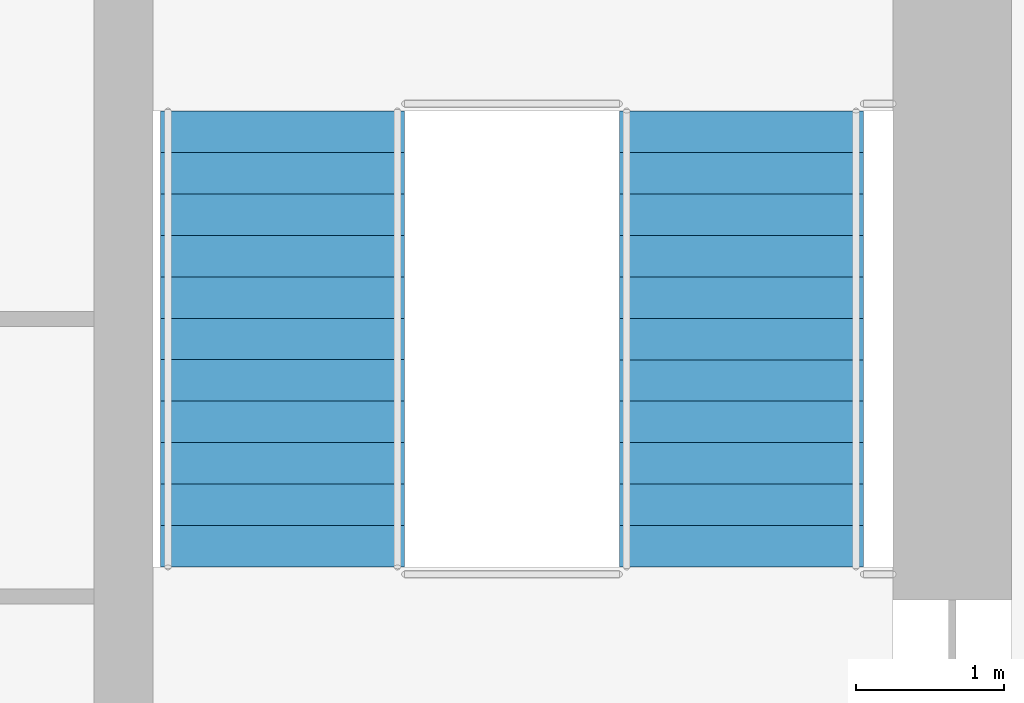
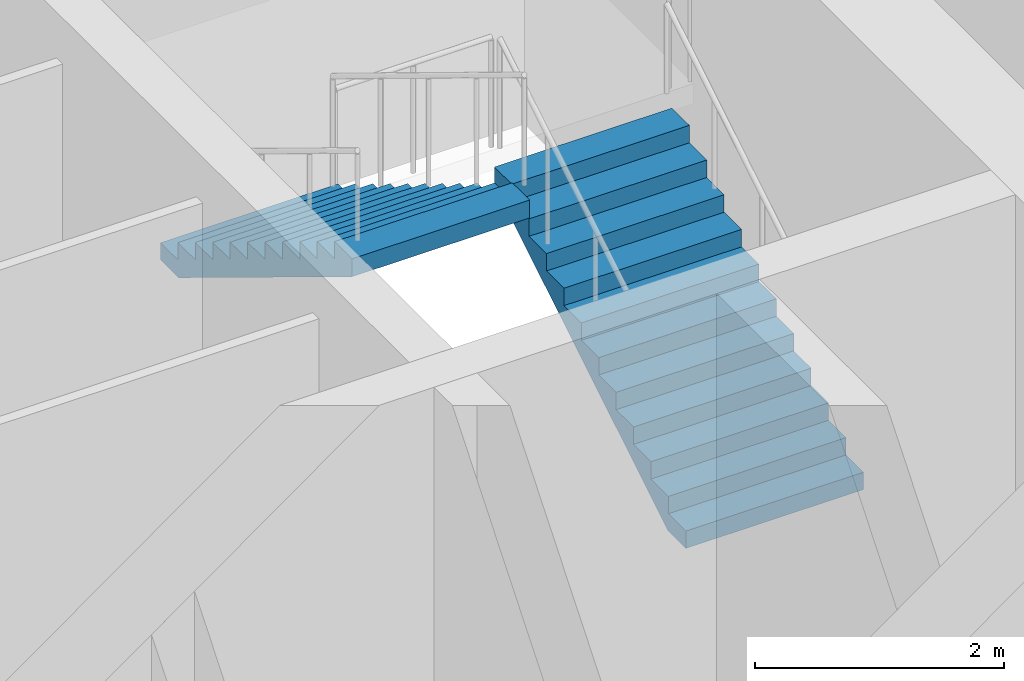
# One storey, part 8 of 16: 2 stair flights, 1 element without a shape of its own.
"""IFC4 building model written with IfcOpenShell, lengths in metres."""

from ifc_helpers import new_model, si_unit, direction, frame, origin, place, context, subcontext, project, spatial, polyline, outline, extrude, material, type_object, element, aggregate, save


model = new_model("IFC4")

# Units and contexts
model_context = context("Model", 3, precision=1e-05, world=origin(), true_north=direction((0.0, 1.0)))
body_context = subcontext(model_context, "Body", "Model", "MODEL_VIEW")
ifc_project = project(units=[si_unit("LENGTHUNIT", "METRE"), si_unit("AREAUNIT", "SQUARE_METRE"), si_unit("VOLUMEUNIT", "CUBIC_METRE"), si_unit("PLANEANGLEUNIT", "RADIAN"), si_unit("MASSUNIT", "GRAM", prefix="KILO")], contexts=[model_context])

# Site, building, storey
site_placement = place(None, origin())
site = spatial("IfcSite", under=ifc_project, at=site_placement, CompositionType="ELEMENT")
building_placement = place(site_placement, origin())
building = spatial("IfcBuilding", under=site, at=building_placement, Name="Corbel Stack Research Tower", CompositionType="ELEMENT")
storey_placement = place(building_placement, frame((0.0, 0.0, 195.60009765625)))
storey = spatial("IfcBuildingStorey", under=building, at=storey_placement, Name="L44", CompositionType="ELEMENT", Elevation=195.60009765625)

# Stair, stair flights
ifc_material_1 = material(Name="Concrete C40/50", Category="concrete")
stair_type = type_object("IfcStairType", Name="Exit stair 24 risers", PredefinedType="HALF_TURN_STAIR", material=ifc_material_1)
stair_placement = place(storey_placement, origin())
stair = element("IfcStair", 1, at=stair_placement, inside=storey, type_object=stair_type, Name="L44 Exit stair ST-E2", PredefinedType="HALF_TURN_STAIR")
ifc_material_2 = material(Name="Concrete C40/50", Category="concrete")
stair_flight_type = type_object("IfcStairFlightType", Name="Stair flight 12 risers", PredefinedType="STRAIGHT", material=ifc_material_2)
stair_flight_1_placement = place(storey_placement, frame((16.175048828125, 11.89990234375, 0.0), z_axis=(0.0, 0.0, 1.0), x_axis=(0.0, 1.0, 0.0)))
stair_flight_1 = element("IfcStairFlight", 2, at=stair_flight_1_placement, type_object=stair_flight_type, Name="ST-E2 flight 1", NumberOfRisers=12, NumberOfTreads=11, PredefinedType="STRAIGHT", RiserHeight=0.170833333, TreadLength=0.28, context=body_context, shape_type="SweptSolid", body=[
    extrude(outline(polyline([(0.0, 0.0), (0.0, 0.1708984375), (0.280029296875, 0.1708984375), (0.280029296875, 0.341552734375), (0.56005859375, 0.341552734375), (0.56005859375, 0.512451171875), (0.840087890625, 0.512451171875), (0.840087890625, 0.683349609375), (1.1201171875, 0.683349609375), (1.1201171875, 0.854248046875), (1.39990234375, 0.854248046875), (1.39990234375, 1.02490234375), (1.679931640625, 1.02490234375), (1.679931640625, 1.19580078125), (1.9599609375, 1.19580078125), (1.9599609375, 1.36669921875), (2.239990234375, 1.36669921875), (2.239990234375, 1.53759765625), (2.52001953125, 1.53759765625), (2.52001953125, 1.708251953125), (2.800048828125, 1.708251953125), (2.800048828125, 1.879150390625), (3.080078125, 1.879150390625), (3.080078125, 2.050048828125), (3.080078125, 1.70361328125), (0.287841796875, 0.0), (0.0, 0.0)])), frame((0.0, 0.824951171875, 0.0), z_axis=(0.0, -1.0, 0.0), x_axis=(1.0, 0.0, 0.0)), (0.0, 0.0, 1.0), 1.64990234375),
])
stair_flight_2_placement = place(storey_placement, frame((13.074951171875, 14.97998046875, 2.0498046875), z_axis=(0.0, 0.0, 1.0), x_axis=(0.0, -1.0, 0.0)))
stair_flight_2 = element("IfcStairFlight", 3, at=stair_flight_2_placement, type_object=stair_flight_type, Name="ST-E2 flight 2", NumberOfRisers=12, NumberOfTreads=11, PredefinedType="STRAIGHT", RiserHeight=0.170833333, TreadLength=0.28, context=body_context, shape_type="SweptSolid", body=[
    extrude(outline(polyline([(0.0, 0.0), (0.0, 0.1708984375), (0.280029296875, 0.1708984375), (0.280029296875, 0.341552734375), (0.56005859375, 0.341552734375), (0.56005859375, 0.512451171875), (0.840087890625, 0.512451171875), (0.840087890625, 0.683349609375), (1.1201171875, 0.683349609375), (1.1201171875, 0.854248046875), (1.39990234375, 0.854248046875), (1.39990234375, 1.02490234375), (1.679931640625, 1.02490234375), (1.679931640625, 1.19580078125), (1.9599609375, 1.19580078125), (1.9599609375, 1.36669921875), (2.239990234375, 1.36669921875), (2.239990234375, 1.53759765625), (2.52001953125, 1.53759765625), (2.52001953125, 1.708251953125), (2.800048828125, 1.708251953125), (2.800048828125, 1.879150390625), (3.080078125, 1.879150390625), (3.080078125, 2.050048828125), (3.080078125, 1.70361328125), (0.287841796875, 0.0), (0.0, 0.0)])), frame((0.0, 0.824951171875, 0.0), z_axis=(0.0, -1.0, 0.0), x_axis=(1.0, 0.0, 0.0)), (0.0, 0.0, 1.0), 1.64990234375),
])
aggregate(stair, [stair_flight_1, stair_flight_2])

save(model, "model.ifc")
